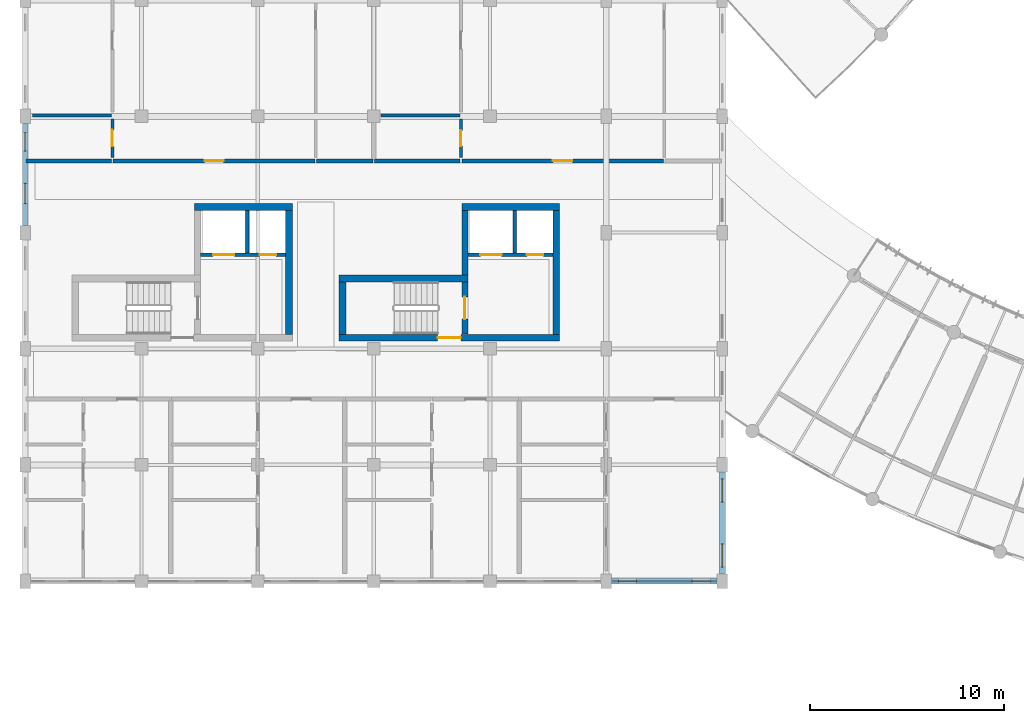
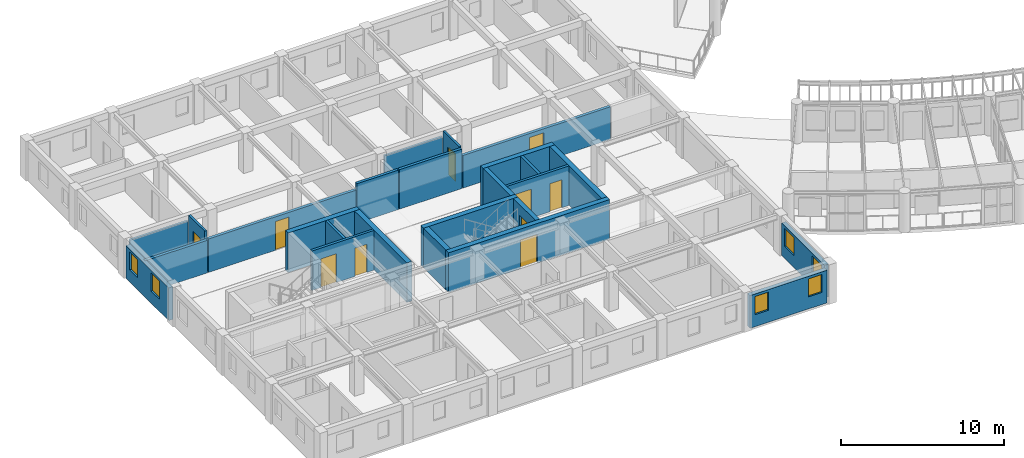
# One storey, part 56 of 100: 25 walls, 10 doors, 6 windows, 16 openings.
"""IFC4 building model written with IfcOpenShell, lengths in metres."""

from ifc_helpers import new_model, si_unit, direction, frame, frame_2d, origin, place, context, subcontext, project, spatial, rectangle, extrude, material, layer, layer_set, type_object, element, fill, save


model = new_model("IFC4")

# Units and contexts
model_context = context("Model", 3, precision=1e-05, world=origin(), true_north=direction((0.0, 1.0)))
body_context = subcontext(model_context, "Body", "Model", "MODEL_VIEW")
ifc_project = project(units=[si_unit("LENGTHUNIT", "METRE"), si_unit("AREAUNIT", "SQUARE_METRE"), si_unit("VOLUMEUNIT", "CUBIC_METRE"), si_unit("PLANEANGLEUNIT", "RADIAN"), si_unit("MASSUNIT", "GRAM", prefix="KILO"), si_unit("POWERUNIT", "WATT"), si_unit("THERMODYNAMICTEMPERATUREUNIT", "KELVIN")], contexts=[model_context])

# Site, building, storey
site_placement = place(None, origin())
site = spatial("IfcSite", under=ifc_project, at=site_placement, CompositionType="ELEMENT")
building_placement = place(site_placement, origin())
building = spatial("IfcBuilding", under=site, at=building_placement, Name="Ruvembo Vaulted Housing Court", CompositionType="ELEMENT")
storey_placement = place(building_placement, frame((0.0, 0.0, 10.89990234375)))
storey = spatial("IfcBuildingStorey", under=building, at=storey_placement, Name="L03", CompositionType="ELEMENT", Elevation=10.89990234375)

# Wall, opening, door
ifc_material_1 = material(Name="Concrete C35/45", Category="concrete")
ifc_layer_1 = layer(ifc_material_1, 0.300048828125, Name="Concrete C35/45")
ifc_layer_set_1 = layer_set([ifc_layer_1], Name="Concrete C35/45")
wall_type_1 = type_object("IfcWallType", Name="WL-CORE-300", PredefinedType="SHEAR", material=ifc_layer_set_1)
wall_1_placement = place(storey_placement, frame((22.699951171875, 18.75, 0.0), z_axis=(0.0, 0.0, 1.0), x_axis=(0.0, 1.0, 0.0)))
wall_1 = element("IfcWall", 1, at=wall_1_placement, inside=storey, type_object=wall_type_1, Name="Core A2 L03 Stair-Lobby Shear Wall", PredefinedType="SHEAR", context=body_context, shape_type="SweptSolid", body=[
    extrude(rectangle(XDim=2.699951171875, YDim=0.300048828125, at=frame_2d((1.35009765625, 0.0))), origin(), (0.0, 0.0, 1.0), 2.960205078125),
])
opening_1_placement = place(wall_1_placement, frame((0.77490234375, 0.0, 0.0)))
opening_1 = element("IfcOpeningElement", 2, at=opening_1_placement, cuts=wall_1, Name="Opening SD1", PredefinedType="OPENING", context=body_context, shape_type="SweptSolid", body=[
    extrude(rectangle(XDim=1.14990234375, YDim=2.14990234375, at=frame_2d((0.574951171875, 1.074951171875))), frame((0.0, 0.159912109375, 0.0), z_axis=(0.0, -1.0, 0.0), x_axis=(1.0, 0.0, 0.0)), (0.0, 0.0, 1.0), 0.320068359375),
])
ifc_material_2 = material(Name="Galvanised Painted Steel", Category="steel")
door_type_1 = type_object("IfcDoorType", Name="DR-STAIR-1150x2150", OperationType="NOTDEFINED", PredefinedType="DOOR", material=ifc_material_2)
door_1_placement = place(opening_1_placement, origin())
door_1 = element("IfcDoor", 3, at=door_1_placement, inside=storey, type_object=door_type_1, Name="Stair ST-A2 L03 Fire Door", OperationType="SINGLE_SWING_RIGHT", OverallHeight=2.14990234375, OverallWidth=1.14990234375, PredefinedType="DOOR", context=body_context, shape_type="SweptSolid", body=[
    extrude(rectangle(XDim=1.14990234375, YDim=2.14990234375, at=frame_2d((0.574951171875, 1.074951171875))), frame((0.0, 0.02490234375, 0.0), z_axis=(0.0, -1.0, 0.0), x_axis=(1.0, 0.0, 0.0)), (0.0, 0.0, 1.0), 0.050048828125),
])
fill(opening_1, door_1)

# Walls
wall_2_placement = place(storey_placement, frame((22.699951171875, 21.800048828125, 0.0), z_axis=(0.0, 0.0, 1.0), x_axis=(0.0, 1.0, 0.0)))
element("IfcWall", 4, at=wall_2_placement, inside=storey, type_object=wall_type_1, Name="Core A2 L03 Upper West Shear Wall", PredefinedType="SHEAR", context=body_context, shape_type="SweptSolid", body=[
    extrude(rectangle(XDim=3.349853515625, YDim=0.300048828125, at=frame_2d((1.6748046875, 0.0))), origin(), (0.0, 0.0, 1.0), 2.960205078125),
])
ifc_layer_2 = layer(ifc_material_1, 0.35009765625, Name="Concrete C35/45")
ifc_layer_set_2 = layer_set([ifc_layer_2], Name="Concrete C35/45")
wall_type_2 = type_object("IfcWallType", Name="WL-CORE-350", PredefinedType="SHEAR", material=ifc_layer_set_2)
wall_3_placement = place(storey_placement, frame((13.800048828125, 25.324951171875, 0.0), z_axis=(0.0, 0.0, 1.0), x_axis=(-1.0, 0.0, 0.0)))
element("IfcWall", 5, at=wall_3_placement, inside=storey, type_object=wall_type_2, Name="Core A1 L03 North Shear Wall", PredefinedType="SHEAR", context=body_context, shape_type="SweptSolid", body=[
    extrude(rectangle(XDim=5.050048828125, YDim=0.35009765625, at=frame_2d((2.52490234375, 0.0))), origin(), (0.0, 0.0, 1.0), 2.960205078125),
])
wall_4_placement = place(storey_placement, frame((13.625, 18.75, 0.0), z_axis=(0.0, 0.0, 1.0), x_axis=(0.0, 1.0, 0.0)))
element("IfcWall", 6, at=wall_4_placement, inside=storey, type_object=wall_type_2, Name="Core A1 L03 East Shear Wall", PredefinedType="SHEAR", context=body_context, shape_type="SweptSolid", body=[
    extrude(rectangle(XDim=6.39990234375, YDim=0.35009765625, at=frame_2d((3.199951171875, 0.0))), origin(), (0.0, 0.0, 1.0), 2.960205078125),
])

# Wall, opening, door
wall_5_placement = place(storey_placement, frame((16.199951171875, 18.574951171875, 0.0), z_axis=(0.0, 0.0, 1.0), x_axis=(1.0, 0.0, 0.0)))
wall_5 = element("IfcWall", 7, at=wall_5_placement, inside=storey, type_object=wall_type_2, Name="Core A2 L03 South Shear Wall", PredefinedType="SHEAR", context=body_context, shape_type="SweptSolid", body=[
    extrude(rectangle(XDim=11.400146484375, YDim=0.35009765625, at=frame_2d((5.7001953125, 0.0))), origin(), (0.0, 0.0, 1.0), 2.960205078125),
])
opening_2_placement = place(wall_5_placement, frame((5.10009765625, 0.0, 0.0)))
opening_2 = element("IfcOpeningElement", 8, at=opening_2_placement, cuts=wall_5, Name="Opening LD3", PredefinedType="OPENING", context=body_context, shape_type="SweptSolid", body=[
    extrude(rectangle(XDim=1.199951171875, YDim=2.14990234375, at=frame_2d((0.60009765625, 1.074951171875))), frame((0.0, 0.18505859375, 0.0), z_axis=(0.0, -1.0, 0.0), x_axis=(1.0, 0.0, 0.0)), (0.0, 0.0, 1.0), 0.3701171875),
])
door_type_2 = type_object("IfcDoorType", Name="DR-LOB-1200x2150", OperationType="NOTDEFINED", PredefinedType="DOOR", material=ifc_material_2)
door_2_placement = place(opening_2_placement, origin())
door_2 = element("IfcDoor", 9, at=door_2_placement, inside=storey, type_object=door_type_2, Name="Core A2 L03 Lobby Fire Door", OperationType="SINGLE_SWING_LEFT", OverallHeight=2.14990234375, OverallWidth=1.199951171875, PredefinedType="DOOR", context=body_context, shape_type="SweptSolid", body=[
    extrude(rectangle(XDim=1.199951171875, YDim=2.14990234375, at=frame_2d((0.60009765625, 1.074951171875))), frame((0.0, 0.02490234375, 0.0), z_axis=(0.0, -1.0, 0.0), x_axis=(1.0, 0.0, 0.0)), (0.0, 0.0, 1.0), 0.050048828125),
])
fill(opening_2, door_2)

# Walls
wall_6_placement = place(storey_placement, frame((22.85009765625, 21.625, 0.0), z_axis=(0.0, 0.0, 1.0), x_axis=(-1.0, 0.0, 0.0)))
element("IfcWall", 10, at=wall_6_placement, inside=storey, type_object=wall_type_2, Name="Core A2 L03 Stair North Shear Wall", PredefinedType="SHEAR", context=body_context, shape_type="SweptSolid", body=[
    extrude(rectangle(XDim=6.650146484375, YDim=0.35009765625, at=frame_2d((3.3251953125, 0.0))), origin(), (0.0, 0.0, 1.0), 2.960205078125),
])
wall_7_placement = place(storey_placement, frame((16.375, 21.449951171875, 0.0), z_axis=(0.0, 0.0, 1.0), x_axis=(0.0, -1.0, 0.0)))
element("IfcWall", 11, at=wall_7_placement, inside=storey, type_object=wall_type_2, Name="Core A2 L03 Stair West Shear Wall", PredefinedType="SHEAR", context=body_context, shape_type="SweptSolid", body=[
    extrude(rectangle(XDim=2.699951171875, YDim=0.35009765625, at=frame_2d((1.35009765625, 0.0))), origin(), (0.0, 0.0, 1.0), 2.960205078125),
])
wall_8_placement = place(storey_placement, frame((27.60009765625, 25.324951171875, 0.0), z_axis=(0.0, 0.0, 1.0), x_axis=(-1.0, 0.0, 0.0)))
element("IfcWall", 12, at=wall_8_placement, inside=storey, type_object=wall_type_2, Name="Core A2 L03 North Shear Wall", PredefinedType="SHEAR", context=body_context, shape_type="SweptSolid", body=[
    extrude(rectangle(XDim=5.050048828125, YDim=0.35009765625, at=frame_2d((2.52490234375, 0.0))), origin(), (0.0, 0.0, 1.0), 2.960205078125),
])
wall_9_placement = place(storey_placement, frame((27.425048828125, 18.75, 0.0), z_axis=(0.0, 0.0, 1.0), x_axis=(0.0, 1.0, 0.0)))
element("IfcWall", 13, at=wall_9_placement, inside=storey, type_object=wall_type_2, Name="Core A2 L03 East Shear Wall", PredefinedType="SHEAR", context=body_context, shape_type="SweptSolid", body=[
    extrude(rectangle(XDim=6.39990234375, YDim=0.35009765625, at=frame_2d((3.199951171875, 0.0))), origin(), (0.0, 0.0, 1.0), 2.960205078125),
])
ifc_material_3 = material(Name="Concrete Blockwork 200", Category="masonry")
ifc_layer_3 = layer(ifc_material_3, 0.199951171875, Name="Concrete Blockwork 200")
ifc_layer_set_3 = layer_set([ifc_layer_3], Name="Concrete Blockwork 200")
wall_type_3 = type_object("IfcWallType", Name="WL-CORR-200", PredefinedType="SOLIDWALL", material=ifc_layer_set_3)
wall_10_placement = place(storey_placement, frame((0.0400390625, 27.699951171875, 0.0), z_axis=(0.0, 0.0, 1.0), x_axis=(1.0, 0.0, 0.0)))
element("IfcWall", 14, at=wall_10_placement, inside=storey, type_object=wall_type_3, Name="L03 Flat A-L03-N1 Corridor Wall WL-INT-L03-00807", PredefinedType="SOLIDWALL", context=body_context, shape_type="SweptSolid", body=[
    extrude(rectangle(XDim=4.419921875, YDim=0.199951171875, at=frame_2d((2.2099609375, 0.0))), origin(), (0.0, 0.0, 1.0), 2.442138671875),
])

# Wall, opening, door
wall_11_placement = place(storey_placement, frame((4.5400390625, 27.699951171875, 0.0), z_axis=(0.0, 0.0, 1.0), x_axis=(1.0, 0.0, 0.0)))
wall_11 = element("IfcWall", 15, at=wall_11_placement, inside=storey, type_object=wall_type_3, Name="L03 Flat A-L03-N1 Entrance WL-INT-L03-00808", PredefinedType="SOLIDWALL", context=body_context, shape_type="SweptSolid", body=[
    extrude(rectangle(XDim=10.419921875, YDim=0.199951171875, at=frame_2d((5.2099609375, 0.0))), origin(), (0.0, 0.0, 1.0), 2.508056640625),
])
opening_3_placement = place(wall_11_placement, frame((4.719970703125, 0.0, 0.0)))
opening_3 = element("IfcOpeningElement", 16, at=opening_3_placement, cuts=wall_11, Name="Opening FD2", PredefinedType="OPENING", context=body_context, shape_type="SweptSolid", body=[
    extrude(rectangle(XDim=0.97998046875, YDim=2.14990234375, at=frame_2d((0.489990234375, 1.074951171875))), frame((0.0, 0.10986328125, 0.0), z_axis=(0.0, -1.0, 0.0), x_axis=(1.0, 0.0, 0.0)), (0.0, 0.0, 1.0), 0.219970703125),
])
ifc_material_4 = material(Name="FSC Hardwood and Engineered Timber", Category="wood")
door_type_3 = type_object("IfcDoorType", Name="DR-FLAT-0980x2150", OperationType="NOTDEFINED", PredefinedType="DOOR", material=ifc_material_4)
door_3_placement = place(opening_3_placement, origin())
door_3 = element("IfcDoor", 17, at=door_3_placement, inside=storey, type_object=door_type_3, Name="L03 Flat A-L03-N1 Entrance Door DR-INT-L03-00448", OperationType="SINGLE_SWING_RIGHT", OverallHeight=2.14990234375, OverallWidth=0.97998046875, PredefinedType="DOOR", context=body_context, shape_type="SweptSolid", body=[
    extrude(rectangle(XDim=0.97998046875, YDim=2.14990234375, at=frame_2d((0.489990234375, 1.074951171875))), frame((0.0, 0.02490234375, 0.0), z_axis=(0.0, -1.0, 0.0), x_axis=(1.0, 0.0, 0.0)), (0.0, 0.0, 1.0), 0.050048828125),
])
fill(opening_3, door_3)

# Walls
wall_12_placement = place(storey_placement, frame((15.0400390625, 27.699951171875, 0.0), z_axis=(0.0, 0.0, 1.0), x_axis=(1.0, 0.0, 0.0)))
element("IfcWall", 18, at=wall_12_placement, inside=storey, type_object=wall_type_3, Name="L03 Flat A-L03-N1 Corridor Wall 2 WL-INT-L03-00814", PredefinedType="SOLIDWALL", context=body_context, shape_type="SweptSolid", body=[
    extrude(rectangle(XDim=2.919921875, YDim=0.199951171875, at=frame_2d((1.4599609375, 0.0))), origin(), (0.0, 0.0, 1.0), 2.960205078125),
])
wall_13_placement = place(storey_placement, frame((18.0400390625, 27.699951171875, 0.0), z_axis=(0.0, 0.0, 1.0), x_axis=(1.0, 0.0, 0.0)))
element("IfcWall", 19, at=wall_13_placement, inside=storey, type_object=wall_type_3, Name="L03 Flat A-L03-N2 Corridor Wall WL-INT-L03-00816", PredefinedType="SOLIDWALL", context=body_context, shape_type="SweptSolid", body=[
    extrude(rectangle(XDim=4.419921875, YDim=0.199951171875, at=frame_2d((2.2099609375, 0.0))), origin(), (0.0, 0.0, 1.0), 2.960205078125),
])

# Wall, opening, door
wall_14_placement = place(storey_placement, frame((22.5400390625, 27.699951171875, 0.0), z_axis=(0.0, 0.0, 1.0), x_axis=(1.0, 0.0, 0.0)))
wall_14 = element("IfcWall", 20, at=wall_14_placement, inside=storey, type_object=wall_type_3, Name="L03 Flat A-L03-N2 Entrance WL-INT-L03-00817", PredefinedType="SOLIDWALL", context=body_context, shape_type="SweptSolid", body=[
    extrude(rectangle(XDim=10.419921875, YDim=0.199951171875, at=frame_2d((5.2099609375, 0.0))), origin(), (0.0, 0.0, 1.0), 2.442138671875),
])
opening_4_placement = place(wall_14_placement, frame((4.7099609375, 0.0, 0.0)))
opening_4 = element("IfcOpeningElement", 21, at=opening_4_placement, cuts=wall_14, Name="Opening FD1", PredefinedType="OPENING", context=body_context, shape_type="SweptSolid", body=[
    extrude(rectangle(XDim=1.0, YDim=2.14990234375, at=frame_2d((0.5, 1.074951171875))), frame((0.0, 0.10986328125, 0.0), z_axis=(0.0, -1.0, 0.0), x_axis=(1.0, 0.0, 0.0)), (0.0, 0.0, 1.0), 0.219970703125),
])
door_type_4 = type_object("IfcDoorType", Name="DR-FLAT-1000x2150", OperationType="NOTDEFINED", PredefinedType="DOOR", material=ifc_material_4)
door_4_placement = place(opening_4_placement, origin())
door_4 = element("IfcDoor", 22, at=door_4_placement, inside=storey, type_object=door_type_4, Name="L03 Flat A-L03-N2 Entrance Door DR-INT-L03-00453", OperationType="SINGLE_SWING_LEFT", OverallHeight=2.14990234375, OverallWidth=1.0, PredefinedType="DOOR", context=body_context, shape_type="SweptSolid", body=[
    extrude(rectangle(XDim=1.0, YDim=2.14990234375, at=frame_2d((0.5, 1.074951171875))), frame((0.0, 0.02490234375, 0.0), z_axis=(0.0, -1.0, 0.0), x_axis=(1.0, 0.0, 0.0)), (0.0, 0.0, 1.0), 0.050048828125),
])
fill(opening_4, door_4)

# Wall, openings, windows
ifc_material_5 = material(Name="Rendered Masonry 300", Category="masonry")
ifc_layer_4 = layer(ifc_material_5, 0.300048828125, Name="Rendered Masonry 300")
ifc_layer_set_4 = layer_set([ifc_layer_4], Name="Rendered Masonry 300")
wall_type_4 = type_object("IfcWallType", Name="WL-EXT-300", PredefinedType="STANDARD", material=ifc_layer_set_4)
wall_15_placement = place(storey_placement, frame((30.27490234375, 6.0, 0.0), z_axis=(0.0, 0.0, 1.0), x_axis=(1.0, 0.0, 0.0)))
wall_15 = element("IfcWall", 23, at=wall_15_placement, inside=storey, type_object=wall_type_4, Name="Block A L03 Exterior Wall STREET #6", PredefinedType="STANDARD", context=body_context, shape_type="SweptSolid", body=[
    extrude(rectangle(XDim=5.4501953125, YDim=0.300048828125, at=frame_2d((2.72509765625, 0.0))), origin(), (0.0, 0.0, 1.0), 2.442138671875),
])
opening_5_placement = place(wall_15_placement, frame((0.35009765625, 0.0, 0.89990234375)))
opening_5 = element("IfcOpeningElement", 24, at=opening_5_placement, cuts=wall_15, Name="Opening W07", PredefinedType="OPENING", context=body_context, shape_type="SweptSolid", body=[
    extrude(rectangle(XDim=0.949951171875, YDim=1.35009765625, at=frame_2d((0.47509765625, 0.675048828125))), frame((0.0, 0.159912109375, 0.0), z_axis=(0.0, -1.0, 0.0), x_axis=(1.0, 0.0, 0.0)), (0.0, 0.0, 1.0), 0.320068359375),
])
opening_6_placement = place(wall_15_placement, frame((4.14990234375, 0.0, 0.89990234375)))
opening_6 = element("IfcOpeningElement", 25, at=opening_6_placement, cuts=wall_15, Name="Opening W07", PredefinedType="OPENING", context=body_context, shape_type="SweptSolid", body=[
    extrude(rectangle(XDim=0.949951171875, YDim=1.35009765625, at=frame_2d((0.47509765625, 0.675048828125))), frame((0.0, 0.159912109375, 0.0), z_axis=(0.0, -1.0, 0.0), x_axis=(1.0, 0.0, 0.0)), (0.0, 0.0, 1.0), 0.320068359375),
])
ifc_material_6 = material(Name="Double Solar-Control Glazing in Aluminium Frame", Category="aluminium")
window_type_1 = type_object("IfcWindowType", Name="WIN-0950x1350", PartitioningType="SINGLE_PANEL", PredefinedType="WINDOW", material=ifc_material_6)
window_1_placement = place(opening_5_placement, origin())
window_1 = element("IfcWindow", 26, at=window_1_placement, inside=storey, type_object=window_type_1, Name="Block A L03 Window #135", OverallHeight=1.35009765625, OverallWidth=0.949951171875, PartitioningType="SINGLE_PANEL", PredefinedType="WINDOW", context=body_context, shape_type="SweptSolid", body=[
    extrude(rectangle(XDim=0.949951171875, YDim=1.35009765625, at=frame_2d((0.47509765625, 0.675048828125))), frame((0.0, 0.030029296875, 0.0), z_axis=(0.0, -1.0, 0.0), x_axis=(1.0, 0.0, 0.0)), (0.0, 0.0, 1.0), 0.06005859375),
])
fill(opening_5, window_1)
window_2_placement = place(opening_6_placement, origin())
window_2 = element("IfcWindow", 27, at=window_2_placement, inside=storey, type_object=window_type_1, Name="Block A L03 Window #136", OverallHeight=1.35009765625, OverallWidth=0.949951171875, PartitioningType="SINGLE_PANEL", PredefinedType="WINDOW", context=body_context, shape_type="SweptSolid", body=[
    extrude(rectangle(XDim=0.949951171875, YDim=1.35009765625, at=frame_2d((0.47509765625, 0.675048828125))), frame((0.0, 0.030029296875, 0.0), z_axis=(0.0, -1.0, 0.0), x_axis=(1.0, 0.0, 0.0)), (0.0, 0.0, 1.0), 0.06005859375),
])
fill(opening_6, window_2)

wall_16_placement = place(storey_placement, frame((36.0, 6.375, 0.0), z_axis=(0.0, 0.0, 1.0), x_axis=(0.0, 1.0, 0.0)))
wall_16 = element("IfcWall", 28, at=wall_16_placement, inside=storey, type_object=wall_type_4, Name="Block A L03 Exterior Wall EAST #1", PredefinedType="STANDARD", context=body_context, shape_type="SweptSolid", body=[
    extrude(rectangle(XDim=5.25, YDim=0.300048828125, at=frame_2d((2.625, 0.0))), origin(), (0.0, 0.0, 1.0), 2.442138671875),
])
opening_7_placement = place(wall_16_placement, frame((0.35009765625, 0.0, 0.89990234375)))
opening_7 = element("IfcOpeningElement", 29, at=opening_7_placement, cuts=wall_16, Name="Opening W12", PredefinedType="OPENING", context=body_context, shape_type="SweptSolid", body=[
    extrude(rectangle(XDim=1.199951171875, YDim=1.35009765625, at=frame_2d((0.60009765625, 0.675048828125))), frame((0.0, 0.159912109375, 0.0), z_axis=(0.0, -1.0, 0.0), x_axis=(1.0, 0.0, 0.0)), (0.0, 0.0, 1.0), 0.320068359375),
])
opening_8_placement = place(wall_16_placement, frame((3.699951171875, 0.0, 0.89990234375)))
opening_8 = element("IfcOpeningElement", 30, at=opening_8_placement, cuts=wall_16, Name="Opening W12", PredefinedType="OPENING", context=body_context, shape_type="SweptSolid", body=[
    extrude(rectangle(XDim=1.199951171875, YDim=1.35009765625, at=frame_2d((0.60009765625, 0.675048828125))), frame((0.0, 0.159912109375, 0.0), z_axis=(0.0, -1.0, 0.0), x_axis=(1.0, 0.0, 0.0)), (0.0, 0.0, 1.0), 0.320068359375),
])
window_type_2 = type_object("IfcWindowType", Name="WIN-1200x1350", PartitioningType="SINGLE_PANEL", PredefinedType="WINDOW", material=ifc_material_6)
window_3_placement = place(opening_7_placement, origin())
window_3 = element("IfcWindow", 31, at=window_3_placement, inside=storey, type_object=window_type_2, Name="Block A L03 Window #137", OverallHeight=1.35009765625, OverallWidth=1.199951171875, PartitioningType="SINGLE_PANEL", PredefinedType="WINDOW", context=body_context, shape_type="SweptSolid", body=[
    extrude(rectangle(XDim=1.199951171875, YDim=1.35009765625, at=frame_2d((0.60009765625, 0.675048828125))), frame((0.0, 0.030029296875, 0.0), z_axis=(0.0, -1.0, 0.0), x_axis=(1.0, 0.0, 0.0)), (0.0, 0.0, 1.0), 0.06005859375),
])
fill(opening_7, window_3)
window_4_placement = place(opening_8_placement, origin())
window_4 = element("IfcWindow", 32, at=window_4_placement, inside=storey, type_object=window_type_2, Name="Block A L03 Window #138", OverallHeight=1.35009765625, OverallWidth=1.199951171875, PartitioningType="SINGLE_PANEL", PredefinedType="WINDOW", context=body_context, shape_type="SweptSolid", body=[
    extrude(rectangle(XDim=1.199951171875, YDim=1.35009765625, at=frame_2d((0.60009765625, 0.675048828125))), frame((0.0, 0.030029296875, 0.0), z_axis=(0.0, -1.0, 0.0), x_axis=(1.0, 0.0, 0.0)), (0.0, 0.0, 1.0), 0.06005859375),
])
fill(opening_8, window_4)

wall_17_placement = place(storey_placement, frame((0.0, 29.625, 0.0), z_axis=(0.0, 0.0, 1.0), x_axis=(0.0, -1.0, 0.0)))
wall_17 = element("IfcWall", 33, at=wall_17_placement, inside=storey, type_object=wall_type_4, Name="Block A L03 Exterior Wall WEST #3", PredefinedType="STANDARD", context=body_context, shape_type="SweptSolid", body=[
    extrude(rectangle(XDim=5.25, YDim=0.300048828125, at=frame_2d((2.625, 0.0))), origin(), (0.0, 0.0, 1.0), 2.442138671875),
])
opening_9_placement = place(wall_17_placement, frame((0.467529296875, 0.0, 0.89990234375)))
opening_9 = element("IfcOpeningElement", 34, at=opening_9_placement, cuts=wall_17, Name="Opening W07", PredefinedType="OPENING", context=body_context, shape_type="SweptSolid", body=[
    extrude(rectangle(XDim=0.949951171875, YDim=1.35009765625, at=frame_2d((0.47509765625, 0.675048828125))), frame((0.0, 0.159912109375, 0.0), z_axis=(0.0, -1.0, 0.0), x_axis=(1.0, 0.0, 0.0)), (0.0, 0.0, 1.0), 0.320068359375),
])
opening_10_placement = place(wall_17_placement, frame((3.08251953125, 0.0, 0.89990234375)))
opening_10 = element("IfcOpeningElement", 35, at=opening_10_placement, cuts=wall_17, Name="Opening W09", PredefinedType="OPENING", context=body_context, shape_type="SweptSolid", body=[
    extrude(rectangle(XDim=1.050048828125, YDim=1.35009765625, at=frame_2d((0.52490234375, 0.675048828125))), frame((0.0, 0.159912109375, 0.0), z_axis=(0.0, -1.0, 0.0), x_axis=(1.0, 0.0, 0.0)), (0.0, 0.0, 1.0), 0.320068359375),
])
window_5_placement = place(opening_9_placement, origin())
window_5 = element("IfcWindow", 36, at=window_5_placement, inside=storey, type_object=window_type_1, Name="Block A L03 Window #159", OverallHeight=1.35009765625, OverallWidth=0.949951171875, PartitioningType="SINGLE_PANEL", PredefinedType="WINDOW", context=body_context, shape_type="SweptSolid", body=[
    extrude(rectangle(XDim=0.949951171875, YDim=1.35009765625, at=frame_2d((0.47509765625, 0.675048828125))), frame((0.0, 0.030029296875, 0.0), z_axis=(0.0, -1.0, 0.0), x_axis=(1.0, 0.0, 0.0)), (0.0, 0.0, 1.0), 0.06005859375),
])
fill(opening_9, window_5)
window_type_3 = type_object("IfcWindowType", Name="WIN-1050x1350", PartitioningType="SINGLE_PANEL", PredefinedType="WINDOW", material=ifc_material_6)
window_6_placement = place(opening_10_placement, origin())
window_6 = element("IfcWindow", 37, at=window_6_placement, inside=storey, type_object=window_type_3, Name="Block A L03 Window #160", OverallHeight=1.35009765625, OverallWidth=1.050048828125, PartitioningType="SINGLE_PANEL", PredefinedType="WINDOW", context=body_context, shape_type="SweptSolid", body=[
    extrude(rectangle(XDim=1.050048828125, YDim=1.35009765625, at=frame_2d((0.52490234375, 0.675048828125))), frame((0.0, 0.030029296875, 0.0), z_axis=(0.0, -1.0, 0.0), x_axis=(1.0, 0.0, 0.0)), (0.0, 0.0, 1.0), 0.06005859375),
])
fill(opening_10, window_6)

# Wall, opening, door
ifc_material_7 = material(Name="Moisture-Resistant Wet Partition 150", Category="gypsum")
ifc_layer_5 = layer(ifc_material_7, 0.14990234375, Name="Moisture-Resistant Wet Partition 150")
ifc_layer_set_5 = layer_set([ifc_layer_5], Name="Moisture-Resistant Wet Partition 150")
wall_type_5 = type_object("IfcWallType", Name="WL-PART-150", PredefinedType="PARTITIONING", material=ifc_layer_set_5)
wall_18_placement = place(storey_placement, frame((4.5, 27.889892578125, 0.0), z_axis=(0.0, 0.0, 1.0), x_axis=(0.0, 1.0, 0.0)))
wall_18 = element("IfcWall", 38, at=wall_18_placement, inside=storey, type_object=wall_type_5, Name="L03 Flat A-L03-N1 Bathroom WL-INT-L03-00811", PredefinedType="PARTITIONING", context=body_context, shape_type="SweptSolid", body=[
    extrude(rectangle(XDim=1.97021484375, YDim=0.14990234375, at=frame_2d((0.985107421875, 0.0))), origin(), (0.0, 0.0, 1.0), 2.960205078125),
])
opening_11_placement = place(wall_18_placement, frame((0.56005859375, 0.0, 0.0)))
opening_11 = element("IfcOpeningElement", 39, at=opening_11_placement, cuts=wall_18, Name="Opening ID2", PredefinedType="OPENING", context=body_context, shape_type="SweptSolid", body=[
    extrude(rectangle(XDim=0.85009765625, YDim=2.10009765625, at=frame_2d((0.425048828125, 1.050048828125))), frame((0.0, 0.0849609375, 0.0), z_axis=(0.0, -1.0, 0.0), x_axis=(1.0, 0.0, 0.0)), (0.0, 0.0, 1.0), 0.169921875),
])
door_type_5 = type_object("IfcDoorType", Name="DR-WET-0850x2100", OperationType="NOTDEFINED", PredefinedType="DOOR", material=ifc_material_4)
door_5_placement = place(opening_11_placement, origin())
door_5 = element("IfcDoor", 40, at=door_5_placement, inside=storey, type_object=door_type_5, Name="L03 Flat A-L03-N1 Bathroom Door DR-INT-L03-00451", OperationType="SINGLE_SWING_LEFT", OverallHeight=2.10009765625, OverallWidth=0.85009765625, PredefinedType="DOOR", context=body_context, shape_type="SweptSolid", body=[
    extrude(rectangle(XDim=0.85009765625, YDim=2.10009765625, at=frame_2d((0.425048828125, 1.050048828125))), frame((0.0, 0.02490234375, 0.0), z_axis=(0.0, -1.0, 0.0), x_axis=(1.0, 0.0, 0.0)), (0.0, 0.0, 1.0), 0.050048828125),
])
fill(opening_11, door_5)

# Wall
wall_19_placement = place(storey_placement, frame((0.360107421875, 30.050048828125, 0.0), z_axis=(0.0, 0.0, 1.0), x_axis=(1.0, 0.0, 0.0)))
element("IfcWall", 41, at=wall_19_placement, inside=storey, type_object=wall_type_5, Name="L03 Flat A-L03-N1 Wet Wall 2 WL-INT-L03-00813", PredefinedType="PARTITIONING", context=body_context, shape_type="SweptSolid", body=[
    extrude(rectangle(XDim=4.099853515625, YDim=0.14990234375, at=frame_2d((2.0498046875, 0.0))), origin(), (0.0, 0.0, 1.0), 2.442138671875),
])

# Wall, opening, door
wall_20_placement = place(storey_placement, frame((22.5, 27.889892578125, 0.0), z_axis=(0.0, 0.0, 1.0), x_axis=(0.0, 1.0, 0.0)))
wall_20 = element("IfcWall", 42, at=wall_20_placement, inside=storey, type_object=wall_type_5, Name="L03 Flat A-L03-N2 Bathroom WL-INT-L03-00820", PredefinedType="PARTITIONING", context=body_context, shape_type="SweptSolid", body=[
    extrude(rectangle(XDim=1.97021484375, YDim=0.14990234375, at=frame_2d((0.985107421875, 0.0))), origin(), (0.0, 0.0, 1.0), 2.960205078125),
])
opening_12_placement = place(wall_20_placement, frame((0.574951171875, 0.0, 0.0)))
opening_12 = element("IfcOpeningElement", 43, at=opening_12_placement, cuts=wall_20, Name="Opening ID4", PredefinedType="OPENING", context=body_context, shape_type="SweptSolid", body=[
    extrude(rectangle(XDim=0.820068359375, YDim=2.080078125, at=frame_2d((0.41015625, 1.0400390625))), frame((0.0, 0.0849609375, 0.0), z_axis=(0.0, -1.0, 0.0), x_axis=(1.0, 0.0, 0.0)), (0.0, 0.0, 1.0), 0.169921875),
])
door_type_6 = type_object("IfcDoorType", Name="DR-WET-0820x2080", OperationType="NOTDEFINED", PredefinedType="DOOR", material=ifc_material_4)
door_6_placement = place(opening_12_placement, origin())
door_6 = element("IfcDoor", 44, at=door_6_placement, inside=storey, type_object=door_type_6, Name="L03 Flat A-L03-N2 Bathroom Door DR-INT-L03-00456", OperationType="SINGLE_SWING_RIGHT", OverallHeight=2.080078125, OverallWidth=0.820068359375, PredefinedType="DOOR", context=body_context, shape_type="SweptSolid", body=[
    extrude(rectangle(XDim=0.820068359375, YDim=2.080078125, at=frame_2d((0.41015625, 1.0400390625))), frame((0.0, 0.02490234375, 0.0), z_axis=(0.0, -1.0, 0.0), x_axis=(1.0, 0.0, 0.0)), (0.0, 0.0, 1.0), 0.050048828125),
])
fill(opening_12, door_6)

# Wall
wall_21_placement = place(storey_placement, frame((18.360107421875, 30.050048828125, 0.0), z_axis=(0.0, 0.0, 1.0), x_axis=(1.0, 0.0, 0.0)))
element("IfcWall", 45, at=wall_21_placement, inside=storey, type_object=wall_type_5, Name="L03 Flat A-L03-N2 Wet Wall 2 WL-INT-L03-00822", PredefinedType="PARTITIONING", context=body_context, shape_type="SweptSolid", body=[
    extrude(rectangle(XDim=4.099853515625, YDim=0.14990234375, at=frame_2d((2.0498046875, 0.0))), origin(), (0.0, 0.0, 1.0), 2.442138671875),
])

# Wall, openings, doors
ifc_material_8 = material(Name="Fire-Rated Masonry Shaft 180", Category="masonry")
ifc_layer_6 = layer(ifc_material_8, 0.179931640625, Name="Fire-Rated Masonry Shaft 180")
ifc_layer_set_6 = layer_set([ifc_layer_6], Name="Fire-Rated Masonry Shaft 180")
wall_type_6 = type_object("IfcWallType", Name="WL-SHAFT-180", PredefinedType="SOLIDWALL", material=ifc_layer_set_6)
wall_22_placement = place(storey_placement, frame((9.050048828125, 22.85009765625, 0.0), z_axis=(0.0, 0.0, 1.0), x_axis=(1.0, 0.0, 0.0)))
wall_22 = element("IfcWall", 46, at=wall_22_placement, inside=storey, type_object=wall_type_6, Name="Core A1 L03 Lift and Riser Front Wall", PredefinedType="SOLIDWALL", context=body_context, shape_type="SweptSolid", body=[
    extrude(rectangle(XDim=4.39990234375, YDim=0.179931640625, at=frame_2d((2.199951171875, 0.0))), origin(), (0.0, 0.0, 1.0), 2.960205078125),
])
opening_13_placement = place(wall_22_placement, frame((0.64990234375, 0.0, 0.0)))
opening_13 = element("IfcOpeningElement", 47, at=opening_13_placement, cuts=wall_22, Name="Opening LD-FL-A1-L03", PredefinedType="OPENING", context=body_context, shape_type="SweptSolid", body=[
    extrude(rectangle(XDim=1.10009765625, YDim=2.14990234375, at=frame_2d((0.550048828125, 1.074951171875))), frame((0.0, 0.099853515625, 0.0), z_axis=(0.0, -1.0, 0.0), x_axis=(1.0, 0.0, 0.0)), (0.0, 0.0, 1.0), 0.199951171875),
])
opening_14_placement = place(wall_22_placement, frame((3.050048828125, 0.0, 0.0)))
opening_14 = element("IfcOpeningElement", 48, at=opening_14_placement, cuts=wall_22, Name="Opening RD1", PredefinedType="OPENING", context=body_context, shape_type="SweptSolid", body=[
    extrude(rectangle(XDim=0.85009765625, YDim=2.10009765625, at=frame_2d((0.425048828125, 1.050048828125))), frame((0.0, 0.099853515625, 0.0), z_axis=(0.0, -1.0, 0.0), x_axis=(1.0, 0.0, 0.0)), (0.0, 0.0, 1.0), 0.199951171875),
])
ifc_material_9 = material(Name="Brushed Stainless Steel 304", Category="steel")
door_type_7 = type_object("IfcDoorType", Name="DR-LIFT-1100x2150", OperationType="NOTDEFINED", PredefinedType="DOOR", material=ifc_material_9)
door_7_placement = place(opening_13_placement, origin())
door_7 = element("IfcDoor", 49, at=door_7_placement, inside=storey, type_object=door_type_7, Name="Lift FL-A1 L03 Sliding Landing Door", OperationType="SLIDING_TO_LEFT", OverallHeight=2.14990234375, OverallWidth=1.10009765625, PredefinedType="DOOR", context=body_context, shape_type="SweptSolid", body=[
    extrude(rectangle(XDim=1.10009765625, YDim=2.14990234375, at=frame_2d((0.550048828125, 1.074951171875))), frame((0.0, 0.02490234375, 0.0), z_axis=(0.0, -1.0, 0.0), x_axis=(1.0, 0.0, 0.0)), (0.0, 0.0, 1.0), 0.050048828125),
])
fill(opening_13, door_7)
door_type_8 = type_object("IfcDoorType", Name="DR-RISER-0850x2100", OperationType="NOTDEFINED", PredefinedType="DOOR", material=ifc_material_2)
door_8_placement = place(opening_14_placement, frame((0.85009765625, 0.0, 0.0), z_axis=(0.0, 0.0, 1.0), x_axis=(-1.0, 0.0, 0.0)))
door_8 = element("IfcDoor", 50, at=door_8_placement, inside=storey, type_object=door_type_8, Name="Core A1 L03 Service Riser Door", OperationType="SINGLE_SWING_LEFT", OverallHeight=2.10009765625, OverallWidth=0.85009765625, PredefinedType="DOOR", context=body_context, shape_type="SweptSolid", body=[
    extrude(rectangle(XDim=0.85009765625, YDim=2.10009765625, at=frame_2d((0.425048828125, 1.050048828125))), frame((0.0, 0.02490234375, 0.0), z_axis=(0.0, -1.0, 0.0), x_axis=(1.0, 0.0, 0.0)), (0.0, 0.0, 1.0), 0.050048828125),
])
fill(opening_14, door_8)

# Wall
wall_23_placement = place(storey_placement, frame((11.469970703125, 22.93994140625, 0.0), z_axis=(0.0, 0.0, 1.0), x_axis=(0.0, 1.0, 0.0)))
element("IfcWall", 51, at=wall_23_placement, inside=storey, type_object=wall_type_6, Name="Core A1 L03 Shaft-Riser Divider Wall", PredefinedType="SOLIDWALL", context=body_context, shape_type="SweptSolid", body=[
    extrude(rectangle(XDim=2.2099609375, YDim=0.179931640625, at=frame_2d((1.10498046875, 0.0))), origin(), (0.0, 0.0, 1.0), 2.960205078125),
])

# Wall, openings, doors
wall_24_placement = place(storey_placement, frame((22.85009765625, 22.85009765625, 0.0), z_axis=(0.0, 0.0, 1.0), x_axis=(1.0, 0.0, 0.0)))
wall_24 = element("IfcWall", 52, at=wall_24_placement, inside=storey, type_object=wall_type_6, Name="Core A2 L03 Lift and Riser Front Wall", PredefinedType="SOLIDWALL", context=body_context, shape_type="SweptSolid", body=[
    extrude(rectangle(XDim=4.39990234375, YDim=0.179931640625, at=frame_2d((2.199951171875, 0.0))), origin(), (0.0, 0.0, 1.0), 2.960205078125),
])
opening_15_placement = place(wall_24_placement, frame((0.64990234375, 0.0, 0.0)))
opening_15 = element("IfcOpeningElement", 53, at=opening_15_placement, cuts=wall_24, Name="Opening LD-FL-A2-L03", PredefinedType="OPENING", context=body_context, shape_type="SweptSolid", body=[
    extrude(rectangle(XDim=1.10009765625, YDim=2.14990234375, at=frame_2d((0.550048828125, 1.074951171875))), frame((0.0, 0.099853515625, 0.0), z_axis=(0.0, -1.0, 0.0), x_axis=(1.0, 0.0, 0.0)), (0.0, 0.0, 1.0), 0.199951171875),
])
opening_16_placement = place(wall_24_placement, frame((3.050048828125, 0.0, 0.0)))
opening_16 = element("IfcOpeningElement", 54, at=opening_16_placement, cuts=wall_24, Name="Opening RD1", PredefinedType="OPENING", context=body_context, shape_type="SweptSolid", body=[
    extrude(rectangle(XDim=0.85009765625, YDim=2.10009765625, at=frame_2d((0.425048828125, 1.050048828125))), frame((0.0, 0.099853515625, 0.0), z_axis=(0.0, -1.0, 0.0), x_axis=(1.0, 0.0, 0.0)), (0.0, 0.0, 1.0), 0.199951171875),
])
door_9_placement = place(opening_15_placement, origin())
door_9 = element("IfcDoor", 55, at=door_9_placement, inside=storey, type_object=door_type_7, Name="Lift FL-A2 L03 Sliding Landing Door", OperationType="SLIDING_TO_LEFT", OverallHeight=2.14990234375, OverallWidth=1.10009765625, PredefinedType="DOOR", context=body_context, shape_type="SweptSolid", body=[
    extrude(rectangle(XDim=1.10009765625, YDim=2.14990234375, at=frame_2d((0.550048828125, 1.074951171875))), frame((0.0, 0.02490234375, 0.0), z_axis=(0.0, -1.0, 0.0), x_axis=(1.0, 0.0, 0.0)), (0.0, 0.0, 1.0), 0.050048828125),
])
fill(opening_15, door_9)
door_10_placement = place(opening_16_placement, frame((0.85009765625, 0.0, 0.0), z_axis=(0.0, 0.0, 1.0), x_axis=(-1.0, 0.0, 0.0)))
door_10 = element("IfcDoor", 56, at=door_10_placement, inside=storey, type_object=door_type_8, Name="Core A2 L03 Service Riser Door", OperationType="SINGLE_SWING_LEFT", OverallHeight=2.10009765625, OverallWidth=0.85009765625, PredefinedType="DOOR", context=body_context, shape_type="SweptSolid", body=[
    extrude(rectangle(XDim=0.85009765625, YDim=2.10009765625, at=frame_2d((0.425048828125, 1.050048828125))), frame((0.0, 0.02490234375, 0.0), z_axis=(0.0, -1.0, 0.0), x_axis=(1.0, 0.0, 0.0)), (0.0, 0.0, 1.0), 0.050048828125),
])
fill(opening_16, door_10)

# Wall
wall_25_placement = place(storey_placement, frame((25.27001953125, 22.93994140625, 0.0), z_axis=(0.0, 0.0, 1.0), x_axis=(0.0, 1.0, 0.0)))
element("IfcWall", 57, at=wall_25_placement, inside=storey, type_object=wall_type_6, Name="Core A2 L03 Shaft-Riser Divider Wall", PredefinedType="SOLIDWALL", context=body_context, shape_type="SweptSolid", body=[
    extrude(rectangle(XDim=2.2099609375, YDim=0.179931640625, at=frame_2d((1.10498046875, 0.0))), origin(), (0.0, 0.0, 1.0), 2.960205078125),
])

save(model, "model.ifc")
